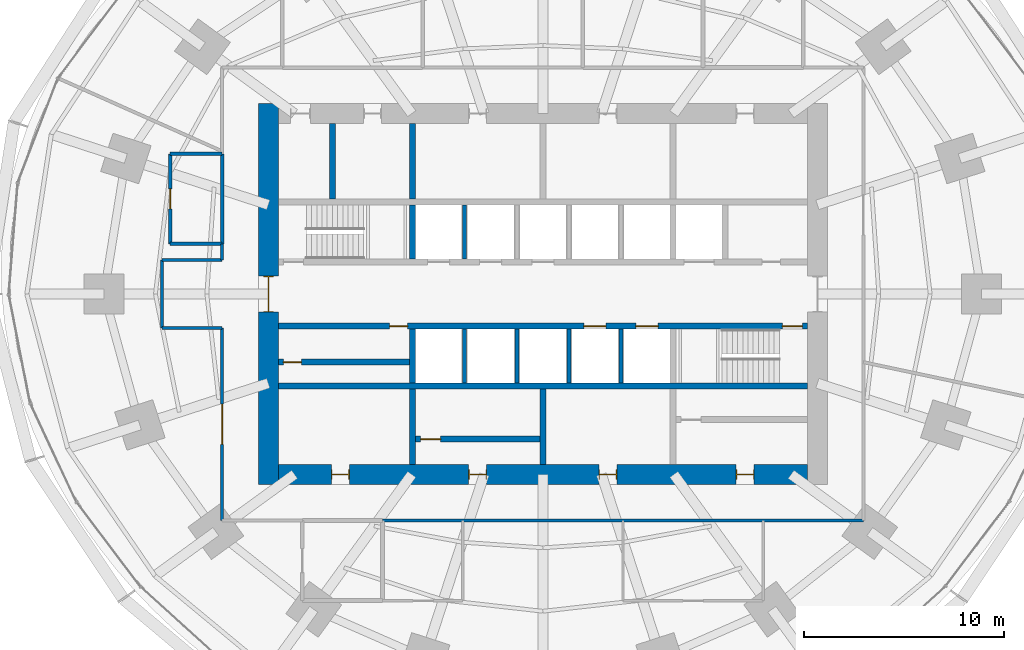
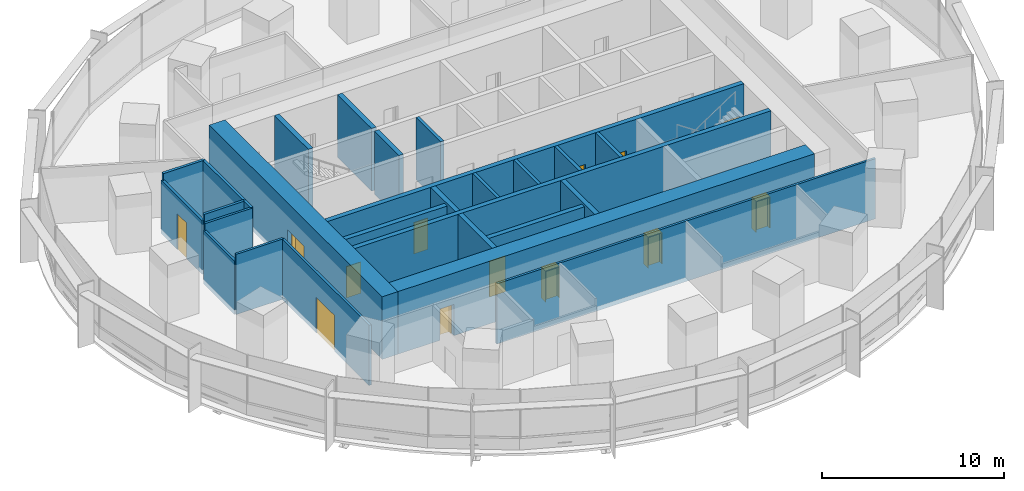
# One storey, part 11 of 15: 27 walls, 13 doors, 13 openings.
"""IFC4 building model written with IfcOpenShell, lengths in metres."""

from ifc_helpers import new_model, si_unit, direction, frame, frame_2d, origin, place, context, subcontext, project, spatial, rectangle, extrude, material, layer, layer_set, type_object, element, fill, save


model = new_model("IFC4")

# Units and contexts
model_context = context("Model", 3, precision=1e-05, world=origin(), true_north=direction((0.0, 1.0)))
body_context = subcontext(model_context, "Body", "Model", "MODEL_VIEW")
ifc_project = project(units=[si_unit("LENGTHUNIT", "METRE"), si_unit("AREAUNIT", "SQUARE_METRE"), si_unit("VOLUMEUNIT", "CUBIC_METRE"), si_unit("PLANEANGLEUNIT", "RADIAN"), si_unit("MASSUNIT", "GRAM", prefix="KILO")], contexts=[model_context])

# Site, building, storey
site_placement = place(None, origin())
site = spatial("IfcSite", under=ifc_project, at=site_placement, CompositionType="ELEMENT")
building_placement = place(site_placement, origin())
building = spatial("IfcBuilding", under=site, at=building_placement, Name="Marramba Exchange Tower", CompositionType="ELEMENT")
storey_placement = place(building_placement, frame((0.0, 0.0, 40.60009765625)))
storey = spatial("IfcBuildingStorey", under=building, at=storey_placement, Name="L09", CompositionType="ELEMENT", Elevation=40.60009765625)

# Walls
ifc_material_1 = material(Name="Plasterboard on staggered double steel studs, acoustic insulation", Category="steel")
ifc_layer_1 = layer(ifc_material_1, 0.169921875)
ifc_layer_set_1 = layer_set([ifc_layer_1], Name="Acoustic partition 170")
wall_type_1 = type_object("IfcWallType", Name="Acoustic partition 170", PredefinedType="PARTITIONING", material=ifc_layer_set_1)
wall_1_placement = place(storey_placement, frame((-16.0, 7.0, 0.0), z_axis=(0.0, 0.0, 1.0), x_axis=(-1.0, 0.0, 0.0)))
element("IfcWall", 1, at=wall_1_placement, inside=storey, type_object=wall_type_1, Name="Acoustic partition L09 32", PredefinedType="PARTITIONING", context=body_context, shape_type="SweptSolid", body=[
    extrude(rectangle(XDim=2.60009765625, YDim=0.169921875, at=frame_2d((1.300048828125, 0.0))), origin(), (0.0, 0.0, 1.0), 4.039794921875),
])
wall_2_placement = place(storey_placement, frame((-16.0, 2.5, 0.0), z_axis=(0.0, 0.0, 1.0), x_axis=(0.0, 1.0, 0.0)))
element("IfcWall", 2, at=wall_2_placement, inside=storey, type_object=wall_type_1, Name="Acoustic partition L09 33", PredefinedType="PARTITIONING", context=body_context, shape_type="SweptSolid", body=[
    extrude(rectangle(XDim=4.5, YDim=0.169921875, at=frame_2d((2.25, 0.0))), origin(), (0.0, 0.0, 1.0), 4.039794921875),
])

# Wall, opening, door
wall_3_placement = place(storey_placement, frame((-18.60009765625, 7.0, 0.0), z_axis=(0.0, 0.0, 1.0), x_axis=(0.0, -1.0, 0.0)))
wall_3 = element("IfcWall", 3, at=wall_3_placement, inside=storey, type_object=wall_type_1, Name="Acoustic partition L09 34", PredefinedType="PARTITIONING", context=body_context, shape_type="SweptSolid", body=[
    extrude(rectangle(XDim=4.5, YDim=0.169921875, at=frame_2d((2.25, 0.0))), origin(), (0.0, 0.0, 1.0), 3.5859375),
])
opening_1_placement = place(wall_3_placement, frame((1.75, 0.0, 0.0)))
opening_1 = element("IfcOpeningElement", 4, at=opening_1_placement, cuts=wall_3, Name="Opening D9", PredefinedType="OPENING", context=body_context, shape_type="SweptSolid", body=[
    extrude(rectangle(XDim=1.0, YDim=2.39990234375, at=frame_2d((0.5, 1.199951171875))), frame((0.0, 0.094970703125, 0.0), z_axis=(0.0, -1.0, 0.0), x_axis=(1.0, 0.0, 0.0)), (0.0, 0.0, 1.0), 0.18994140625),
])
ifc_material_2 = material(Name="Timber door", Category="wood")
door_type_1 = type_object("IfcDoorType", Name="Room door 1000x2400", OperationType="SINGLE_SWING_LEFT", PredefinedType="DOOR", material=ifc_material_2)
door_1_placement = place(opening_1_placement, origin())
door_1 = element("IfcDoor", 5, at=door_1_placement, inside=storey, type_object=door_type_1, Name="D9 Interview Room L09", OperationType="SINGLE_SWING_RIGHT", OverallHeight=2.39990234375, OverallWidth=1.0, PredefinedType="DOOR", context=body_context, shape_type="SweptSolid", body=[
    extrude(rectangle(XDim=1.0, YDim=2.39990234375, at=frame_2d((0.5, 1.199951171875))), frame((0.0, 0.02490234375, 0.0), z_axis=(0.0, -1.0, 0.0), x_axis=(1.0, 0.0, 0.0)), (0.0, 0.0, 1.0), 0.050048828125),
])
fill(opening_1, door_1)

# Walls
wall_4_placement = place(storey_placement, frame((-18.60009765625, 2.5, 0.0), z_axis=(0.0, 0.0, 1.0), x_axis=(1.0, 0.0, 0.0)))
element("IfcWall", 6, at=wall_4_placement, inside=storey, type_object=wall_type_1, Name="Acoustic partition L09 35", PredefinedType="PARTITIONING", context=body_context, shape_type="SweptSolid", body=[
    extrude(rectangle(XDim=2.60009765625, YDim=0.169921875, at=frame_2d((1.300048828125, 0.0))), origin(), (0.0, 0.0, 1.0), 4.039794921875),
])
ifc_material_3 = material(Name="Concrete N50", Category="concrete")
ifc_layer_2 = layer(ifc_material_3, 0.199951171875)
ifc_layer_set_2 = layer_set([ifc_layer_2], Name="Core shaft wall 200")
wall_type_2 = type_object("IfcWallType", Name="Core shaft wall 200", PredefinedType="SHEAR", material=ifc_layer_set_2)
for number, where, z_axis, x_axis, name in (
    (7, (-3.89990234375, 1.75, 0.0), (0.0, 0.0, 1.0), (0.0, 1.0, 0.0), "Core wall SHN1 L09"),
    (8, (-3.89990234375, -1.75, 0.0), (0.0, 0.0, 1.0), (0.0, -1.0, 0.0), "Core wall SHS1 L09"),
    (9, (-1.300048828125, -1.75, 0.0), (0.0, 0.0, 1.0), (0.0, -1.0, 0.0), "Core wall SHS2 L09"),
    (10, (1.300048828125, -1.75, 0.0), (0.0, 0.0, 1.0), (0.0, -1.0, 0.0), "Core wall SHS3 L09"),
    (11, (3.89990234375, -1.75, 0.0), (0.0, 0.0, 1.0), (0.0, -1.0, 0.0), "Core wall SHS4 L09"),
):
    element("IfcWall", number, at=place(storey_placement, frame(where, z_axis=z_axis, x_axis=x_axis)), inside=storey, type_object=wall_type_2, Name=name, PredefinedType="SHEAR", context=body_context, shape_type="SweptSolid", body=[
        extrude(rectangle(XDim=2.699951171875, YDim=0.199951171875, at=frame_2d((1.35009765625, 0.0))), origin(), (0.0, 0.0, 1.0), 4.199951171875),
    ])

# Wall, openings, doors
ifc_layer_3 = layer(ifc_material_3, 1.0)
ifc_layer_set_3 = layer_set([ifc_layer_3], Name="Core wall 1000")
wall_type_3 = type_object("IfcWallType", Name="Core wall 1000", PredefinedType="SHEAR", material=ifc_layer_set_3)
wall_5_placement = place(storey_placement, frame((-13.199951171875, -9.0, 0.0), z_axis=(0.0, 0.0, 1.0), x_axis=(1.0, 0.0, 0.0)))
wall_5 = element("IfcWall", 12, at=wall_5_placement, inside=storey, type_object=wall_type_3, Name="Core wall S L09", PredefinedType="SHEAR", context=body_context, shape_type="SweptSolid", body=[
    extrude(rectangle(XDim=26.39990234375, YDim=1.0, at=frame_2d((13.199951171875, 0.0))), origin(), (0.0, 0.0, 1.0), 4.199951171875),
])
opening_2_placement = place(wall_5_placement, frame((2.64990234375, 0.0, 0.0)))
opening_2 = element("IfcOpeningElement", 13, at=opening_2_placement, cuts=wall_5, Name="Opening D5", PredefinedType="OPENING", context=body_context, shape_type="SweptSolid", body=[
    extrude(rectangle(XDim=0.89990234375, YDim=2.10009765625, at=frame_2d((0.449951171875, 1.050048828125))), frame((0.0, 0.510009765625, 0.0), z_axis=(0.0, -1.0, 0.0), x_axis=(1.0, 0.0, 0.0)), (0.0, 0.0, 1.0), 1.02001953125),
])
opening_3_placement = place(wall_5_placement, frame((9.5, 0.0, 0.0)))
opening_3 = element("IfcOpeningElement", 14, at=opening_3_placement, cuts=wall_5, Name="Opening D5", PredefinedType="OPENING", context=body_context, shape_type="SweptSolid", body=[
    extrude(rectangle(XDim=0.89990234375, YDim=2.10009765625, at=frame_2d((0.449951171875, 1.050048828125))), frame((0.0, 0.510009765625, 0.0), z_axis=(0.0, -1.0, 0.0), x_axis=(1.0, 0.0, 0.0)), (0.0, 0.0, 1.0), 1.02001953125),
])
opening_4_placement = place(wall_5_placement, frame((16.0, 0.0, 0.0)))
opening_4 = element("IfcOpeningElement", 15, at=opening_4_placement, cuts=wall_5, Name="Opening D5", PredefinedType="OPENING", context=body_context, shape_type="SweptSolid", body=[
    extrude(rectangle(XDim=0.89990234375, YDim=2.10009765625, at=frame_2d((0.449951171875, 1.050048828125))), frame((0.0, 0.510009765625, 0.0), z_axis=(0.0, -1.0, 0.0), x_axis=(1.0, 0.0, 0.0)), (0.0, 0.0, 1.0), 1.02001953125),
])
opening_5_placement = place(wall_5_placement, frame((22.85009765625, 0.0, 0.0)))
opening_5 = element("IfcOpeningElement", 16, at=opening_5_placement, cuts=wall_5, Name="Opening D5", PredefinedType="OPENING", context=body_context, shape_type="SweptSolid", body=[
    extrude(rectangle(XDim=0.89990234375, YDim=2.10009765625, at=frame_2d((0.449951171875, 1.050048828125))), frame((0.0, 0.510009765625, 0.0), z_axis=(0.0, -1.0, 0.0), x_axis=(1.0, 0.0, 0.0)), (0.0, 0.0, 1.0), 1.02001953125),
])
ifc_material_4 = material(Name="Steel-framed door", Category="steel")
door_type_2 = type_object("IfcDoorType", Name="Service door 900x2100", OperationType="SINGLE_SWING_LEFT", PredefinedType="DOOR", material=ifc_material_4)
door_2_placement = place(opening_2_placement, origin())
door_2 = element("IfcDoor", 17, at=door_2_placement, inside=storey, type_object=door_type_2, Name="D5 ahu L09", OperationType="SINGLE_SWING_LEFT", OverallHeight=2.10009765625, OverallWidth=0.89990234375, PredefinedType="DOOR", context=body_context, shape_type="SweptSolid", body=[
    extrude(rectangle(XDim=0.81982421875, YDim=2.06005859375, at=frame_2d((0.449951171875, 1.030029296875))), frame((0.0, 0.02490234375, 0.0), z_axis=(0.0, -1.0, 0.0), x_axis=(1.0, 0.0, 0.0)), (0.0, 0.0, 1.0), 0.050048828125),
    extrude(rectangle(XDim=0.04, YDim=2.10009765625, at=frame_2d((0.02001953125, 1.050048828125))), frame((0.0, 0.25, 0.0), z_axis=(0.0, -1.0, 0.0), x_axis=(1.0, 0.0, 0.0)), (0.0, 0.0, 1.0), 0.5),
    extrude(rectangle(XDim=0.04, YDim=2.10009765625, at=frame_2d((0.8798828125, 1.050048828125))), frame((0.0, 0.25, 0.0), z_axis=(0.0, -1.0, 0.0), x_axis=(1.0, 0.0, 0.0)), (0.0, 0.0, 1.0), 0.5),
    extrude(rectangle(XDim=0.81982421875, YDim=0.04, at=frame_2d((0.449951171875, 2.080078125))), frame((0.0, 0.25, 0.0), z_axis=(0.0, -1.0, 0.0), x_axis=(1.0, 0.0, 0.0)), (0.0, 0.0, 1.0), 0.5),
])
fill(opening_2, door_2)
door_3_placement = place(opening_3_placement, origin())
door_3 = element("IfcDoor", 18, at=door_3_placement, inside=storey, type_object=door_type_2, Name="D5 store L09", OperationType="SINGLE_SWING_RIGHT", OverallHeight=2.10009765625, OverallWidth=0.89990234375, PredefinedType="DOOR", context=body_context, shape_type="SweptSolid", body=[
    extrude(rectangle(XDim=0.81982421875, YDim=2.06005859375, at=frame_2d((0.449951171875, 1.030029296875))), frame((0.0, 0.02490234375, 0.0), z_axis=(0.0, -1.0, 0.0), x_axis=(1.0, 0.0, 0.0)), (0.0, 0.0, 1.0), 0.050048828125),
    extrude(rectangle(XDim=0.04, YDim=2.10009765625, at=frame_2d((0.02001953125, 1.050048828125))), frame((0.0, 0.25, 0.0), z_axis=(0.0, -1.0, 0.0), x_axis=(1.0, 0.0, 0.0)), (0.0, 0.0, 1.0), 0.5),
    extrude(rectangle(XDim=0.04, YDim=2.10009765625, at=frame_2d((0.8798828125, 1.050048828125))), frame((0.0, 0.25, 0.0), z_axis=(0.0, -1.0, 0.0), x_axis=(1.0, 0.0, 0.0)), (0.0, 0.0, 1.0), 0.5),
    extrude(rectangle(XDim=0.81982421875, YDim=0.04, at=frame_2d((0.449951171875, 2.080078125))), frame((0.0, 0.25, 0.0), z_axis=(0.0, -1.0, 0.0), x_axis=(1.0, 0.0, 0.0)), (0.0, 0.0, 1.0), 0.5),
])
fill(opening_3, door_3)
door_4_placement = place(opening_4_placement, origin())
door_4 = element("IfcDoor", 19, at=door_4_placement, inside=storey, type_object=door_type_2, Name="D5 switch L09", OperationType="SINGLE_SWING_RIGHT", OverallHeight=2.10009765625, OverallWidth=0.89990234375, PredefinedType="DOOR", context=body_context, shape_type="SweptSolid", body=[
    extrude(rectangle(XDim=0.81982421875, YDim=2.06005859375, at=frame_2d((0.449951171875, 1.030029296875))), frame((0.0, 0.02490234375, 0.0), z_axis=(0.0, -1.0, 0.0), x_axis=(1.0, 0.0, 0.0)), (0.0, 0.0, 1.0), 0.050048828125),
    extrude(rectangle(XDim=0.04, YDim=2.10009765625, at=frame_2d((0.02001953125, 1.050048828125))), frame((0.0, 0.25, 0.0), z_axis=(0.0, -1.0, 0.0), x_axis=(1.0, 0.0, 0.0)), (0.0, 0.0, 1.0), 0.5),
    extrude(rectangle(XDim=0.04, YDim=2.10009765625, at=frame_2d((0.8798828125, 1.050048828125))), frame((0.0, 0.25, 0.0), z_axis=(0.0, -1.0, 0.0), x_axis=(1.0, 0.0, 0.0)), (0.0, 0.0, 1.0), 0.5),
    extrude(rectangle(XDim=0.81982421875, YDim=0.04, at=frame_2d((0.449951171875, 2.080078125))), frame((0.0, 0.25, 0.0), z_axis=(0.0, -1.0, 0.0), x_axis=(1.0, 0.0, 0.0)), (0.0, 0.0, 1.0), 0.5),
])
fill(opening_4, door_4)
door_5_placement = place(opening_5_placement, origin())
door_5 = element("IfcDoor", 20, at=door_5_placement, inside=storey, type_object=door_type_2, Name="D5 cstore L09", OperationType="SINGLE_SWING_RIGHT", OverallHeight=2.10009765625, OverallWidth=0.89990234375, PredefinedType="DOOR", context=body_context, shape_type="SweptSolid", body=[
    extrude(rectangle(XDim=0.81982421875, YDim=2.06005859375, at=frame_2d((0.449951171875, 1.030029296875))), frame((0.0, 0.02490234375, 0.0), z_axis=(0.0, -1.0, 0.0), x_axis=(1.0, 0.0, 0.0)), (0.0, 0.0, 1.0), 0.050048828125),
    extrude(rectangle(XDim=0.04, YDim=2.10009765625, at=frame_2d((0.02001953125, 1.050048828125))), frame((0.0, 0.25, 0.0), z_axis=(0.0, -1.0, 0.0), x_axis=(1.0, 0.0, 0.0)), (0.0, 0.0, 1.0), 0.5),
    extrude(rectangle(XDim=0.04, YDim=2.10009765625, at=frame_2d((0.8798828125, 1.050048828125))), frame((0.0, 0.25, 0.0), z_axis=(0.0, -1.0, 0.0), x_axis=(1.0, 0.0, 0.0)), (0.0, 0.0, 1.0), 0.5),
    extrude(rectangle(XDim=0.81982421875, YDim=0.04, at=frame_2d((0.449951171875, 2.080078125))), frame((0.0, 0.25, 0.0), z_axis=(0.0, -1.0, 0.0), x_axis=(1.0, 0.0, 0.0)), (0.0, 0.0, 1.0), 0.5),
])
fill(opening_5, door_5)

# Wall, opening, door
wall_6_placement = place(storey_placement, frame((-13.699951171875, 9.5, 0.0), z_axis=(0.0, 0.0, 1.0), x_axis=(0.0, -1.0, 0.0)))
wall_6 = element("IfcWall", 21, at=wall_6_placement, inside=storey, type_object=wall_type_3, Name="Core wall W L09", PredefinedType="SHEAR", context=body_context, shape_type="SweptSolid", body=[
    extrude(rectangle(XDim=19.0, YDim=1.0, at=frame_2d((9.5, 0.0))), origin(), (0.0, 0.0, 1.0), 4.199951171875),
])
opening_6_placement = place(wall_6_placement, frame((8.60009765625, 0.0, 0.0)))
opening_6 = element("IfcOpeningElement", 22, at=opening_6_placement, cuts=wall_6, Name="Opening D1", PredefinedType="OPENING", context=body_context, shape_type="SweptSolid", body=[
    extrude(rectangle(XDim=1.800048828125, YDim=2.39990234375, at=frame_2d((0.89990234375, 1.199951171875))), frame((0.0, 0.510009765625, 0.0), z_axis=(0.0, -1.0, 0.0), x_axis=(1.0, 0.0, 0.0)), (0.0, 0.0, 1.0), 1.02001953125),
])
door_type_3 = type_object("IfcDoorType", Name="Lobby exit door 1800x2400", OperationType="DOUBLE_DOOR_SINGLE_SWING", PredefinedType="DOOR", material=ifc_material_4)
door_6_placement = place(opening_6_placement, origin())
door_6 = element("IfcDoor", 23, at=door_6_placement, inside=storey, type_object=door_type_3, Name="D1 lobby exit west L09", OperationType="DOUBLE_DOOR_SINGLE_SWING", OverallHeight=2.39990234375, OverallWidth=1.800048828125, PredefinedType="DOOR", context=body_context, shape_type="SweptSolid", body=[
    extrude(rectangle(XDim=1.719970703125, YDim=2.35986328125, at=frame_2d((0.89990234375, 1.179931640625))), frame((0.0, 0.02490234375, 0.0), z_axis=(0.0, -1.0, 0.0), x_axis=(1.0, 0.0, 0.0)), (0.0, 0.0, 1.0), 0.050048828125),
    extrude(rectangle(XDim=0.04, YDim=2.39990234375, at=frame_2d((0.02001953125, 1.199951171875))), frame((0.0, 0.25, 0.0), z_axis=(0.0, -1.0, 0.0), x_axis=(1.0, 0.0, 0.0)), (0.0, 0.0, 1.0), 0.5),
    extrude(rectangle(XDim=0.04, YDim=2.39990234375, at=frame_2d((1.780029296875, 1.199951171875))), frame((0.0, 0.25, 0.0), z_axis=(0.0, -1.0, 0.0), x_axis=(1.0, 0.0, 0.0)), (0.0, 0.0, 1.0), 0.5),
    extrude(rectangle(XDim=1.719970703125, YDim=0.04, at=frame_2d((0.89990234375, 2.3798828125))), frame((0.0, 0.25, 0.0), z_axis=(0.0, -1.0, 0.0), x_axis=(1.0, 0.0, 0.0)), (0.0, 0.0, 1.0), 0.5),
])
fill(opening_6, door_6)

# Wall, openings, doors
ifc_layer_4 = layer(ifc_material_3, 0.300048828125)
ifc_layer_set_4 = layer_set([ifc_layer_4], Name="Core wall 300")
wall_type_4 = type_object("IfcWallType", Name="Core wall 300", PredefinedType="SHEAR", material=ifc_layer_set_4)
wall_7_placement = place(storey_placement, frame((-13.199951171875, -1.60009765625, 0.0), z_axis=(0.0, 0.0, 1.0), x_axis=(1.0, 0.0, 0.0)))
wall_7 = element("IfcWall", 24, at=wall_7_placement, inside=storey, type_object=wall_type_4, Name="Core wall LS L09", PredefinedType="SHEAR", context=body_context, shape_type="SweptSolid", body=[
    extrude(rectangle(XDim=26.39990234375, YDim=0.300048828125, at=frame_2d((13.199951171875, 0.0))), origin(), (0.0, 0.0, 1.0), 4.199951171875),
])
opening_7_placement = place(wall_7_placement, frame((25.14990234375, 0.0, 0.0)))
opening_7 = element("IfcOpeningElement", 25, at=opening_7_placement, cuts=wall_7, Name="Opening D2", PredefinedType="OPENING", context=body_context, shape_type="SweptSolid", body=[
    extrude(rectangle(XDim=1.0, YDim=2.10009765625, at=frame_2d((0.5, 1.050048828125))), frame((0.0, 0.159912109375, 0.0), z_axis=(0.0, -1.0, 0.0), x_axis=(1.0, 0.0, 0.0)), (0.0, 0.0, 1.0), 0.320068359375),
])
opening_8_placement = place(wall_7_placement, frame((15.25, 0.0, 0.0)))
opening_8 = element("IfcOpeningElement", 26, at=opening_8_placement, cuts=wall_7, Name="Opening LD2", PredefinedType="OPENING", context=body_context, shape_type="SweptSolid", body=[
    extrude(rectangle(XDim=1.10009765625, YDim=2.300048828125, at=frame_2d((0.550048828125, 1.14990234375))), frame((0.0, 0.159912109375, 0.0), z_axis=(0.0, -1.0, 0.0), x_axis=(1.0, 0.0, 0.0)), (0.0, 0.0, 1.0), 0.320068359375),
])
opening_9_placement = place(wall_7_placement, frame((17.85009765625, 0.0, 0.0)))
opening_9 = element("IfcOpeningElement", 27, at=opening_9_placement, cuts=wall_7, Name="Opening LD2", PredefinedType="OPENING", context=body_context, shape_type="SweptSolid", body=[
    extrude(rectangle(XDim=1.10009765625, YDim=2.300048828125, at=frame_2d((0.550048828125, 1.14990234375))), frame((0.0, 0.159912109375, 0.0), z_axis=(0.0, -1.0, 0.0), x_axis=(1.0, 0.0, 0.0)), (0.0, 0.0, 1.0), 0.320068359375),
])
opening_10_placement = place(wall_7_placement, frame((5.550048828125, 0.0, 0.0)))
opening_10 = element("IfcOpeningElement", 28, at=opening_10_placement, cuts=wall_7, Name="Opening D5", PredefinedType="OPENING", context=body_context, shape_type="SweptSolid", body=[
    extrude(rectangle(XDim=0.89990234375, YDim=2.10009765625, at=frame_2d((0.449951171875, 1.050048828125))), frame((0.0, 0.159912109375, 0.0), z_axis=(0.0, -1.0, 0.0), x_axis=(1.0, 0.0, 0.0)), (0.0, 0.0, 1.0), 0.320068359375),
])
door_type_4 = type_object("IfcDoorType", Name="Emergency lift landing door 1100x2300", OperationType="SLIDING_TO_LEFT", PredefinedType="DOOR", material=ifc_material_4)
door_7_placement = place(opening_8_placement, frame((1.10009765625, 0.0, 0.0), z_axis=(0.0, 0.0, 1.0), x_axis=(-1.0, 0.0, 0.0)))
door_7 = element("IfcDoor", 29, at=door_7_placement, inside=storey, type_object=door_type_4, Name="FL1 landing door L09", OperationType="SLIDING_TO_RIGHT", OverallHeight=2.300048828125, OverallWidth=1.10009765625, PredefinedType="DOOR", context=body_context, shape_type="SweptSolid", body=[
    extrude(rectangle(XDim=1.10009765625, YDim=2.300048828125, at=frame_2d((0.550048828125, 1.14990234375))), frame((0.0, 0.025146484375, 0.0), z_axis=(0.0, -1.0, 0.0), x_axis=(1.0, 0.0, 0.0)), (0.0, 0.0, 1.0), 0.050048828125),
])
fill(opening_8, door_7)
door_8_placement = place(opening_9_placement, frame((1.10009765625, 0.0, 0.0), z_axis=(0.0, 0.0, 1.0), x_axis=(-1.0, 0.0, 0.0)))
door_8 = element("IfcDoor", 30, at=door_8_placement, inside=storey, type_object=door_type_4, Name="FL2 landing door L09", OperationType="SLIDING_TO_LEFT", OverallHeight=2.300048828125, OverallWidth=1.10009765625, PredefinedType="DOOR", context=body_context, shape_type="SweptSolid", body=[
    extrude(rectangle(XDim=1.10009765625, YDim=2.300048828125, at=frame_2d((0.550048828125, 1.14990234375))), frame((0.0, 0.025146484375, 0.0), z_axis=(0.0, -1.0, 0.0), x_axis=(1.0, 0.0, 0.0)), (0.0, 0.0, 1.0), 0.050048828125),
])
fill(opening_9, door_8)
door_9_placement = place(opening_10_placement, frame((0.89990234375, 0.0, 0.0), z_axis=(0.0, 0.0, 1.0), x_axis=(-1.0, 0.0, 0.0)))
door_9 = element("IfcDoor", 31, at=door_9_placement, inside=storey, type_object=door_type_2, Name="D5 electrical riser L09", OperationType="SINGLE_SWING_LEFT", OverallHeight=2.10009765625, OverallWidth=0.89990234375, PredefinedType="DOOR", context=body_context, shape_type="SweptSolid", body=[
    extrude(rectangle(XDim=0.89990234375, YDim=2.10009765625, at=frame_2d((0.449951171875, 1.050048828125))), frame((0.0, 0.025146484375, 0.0), z_axis=(0.0, -1.0, 0.0), x_axis=(1.0, 0.0, 0.0)), (0.0, 0.0, 1.0), 0.050048828125),
])
fill(opening_10, door_9)
door_type_5 = type_object("IfcDoorType", Name="Stair door 1000x2100", OperationType="SINGLE_SWING_LEFT", PredefinedType="DOOR", material=ifc_material_4)
door_10_placement = place(opening_7_placement, frame((1.0, 0.0, 0.0), z_axis=(0.0, 0.0, 1.0), x_axis=(-1.0, 0.0, 0.0)))
door_10 = element("IfcDoor", 32, at=door_10_placement, inside=storey, type_object=door_type_5, Name="D2 stair ST2 L09", OperationType="SINGLE_SWING_LEFT", OverallHeight=2.10009765625, OverallWidth=1.0, PredefinedType="DOOR", context=body_context, shape_type="SweptSolid", body=[
    extrude(rectangle(XDim=1.0, YDim=2.10009765625, at=frame_2d((0.5, 1.050048828125))), frame((0.0, 0.025146484375, 0.0), z_axis=(0.0, -1.0, 0.0), x_axis=(1.0, 0.0, 0.0)), (0.0, 0.0, 1.0), 0.050048828125),
])
fill(opening_7, door_10)

# Walls
wall_8_placement = place(storey_placement, frame((-13.199951171875, -4.60009765625, 0.0), z_axis=(0.0, 0.0, 1.0), x_axis=(1.0, 0.0, 0.0)))
element("IfcWall", 33, at=wall_8_placement, inside=storey, type_object=wall_type_4, Name="Core wall BS L09", PredefinedType="SHEAR", context=body_context, shape_type="SweptSolid", body=[
    extrude(rectangle(XDim=26.39990234375, YDim=0.300048828125, at=frame_2d((13.199951171875, 0.0))), origin(), (0.0, 0.0, 1.0), 4.199951171875),
])
wall_9_placement = place(storey_placement, frame((-6.5, 1.75, 0.0), z_axis=(0.0, 0.0, 1.0), x_axis=(0.0, 1.0, 0.0)))
element("IfcWall", 34, at=wall_9_placement, inside=storey, type_object=wall_type_4, Name="Core wall X0Na L09", PredefinedType="SHEAR", context=body_context, shape_type="SweptSolid", body=[
    extrude(rectangle(XDim=2.699951171875, YDim=0.300048828125, at=frame_2d((1.35009765625, 0.0))), origin(), (0.0, 0.0, 1.0), 4.199951171875),
])
wall_10_placement = place(storey_placement, frame((-6.5, 4.75, 0.0), z_axis=(0.0, 0.0, 1.0), x_axis=(0.0, 1.0, 0.0)))
element("IfcWall", 35, at=wall_10_placement, inside=storey, type_object=wall_type_4, Name="Core wall X0Nb L09", PredefinedType="SHEAR", context=body_context, shape_type="SweptSolid", body=[
    extrude(rectangle(XDim=3.75, YDim=0.300048828125, at=frame_2d((1.875, 0.0))), origin(), (0.0, 0.0, 1.0), 4.199951171875),
])
wall_11_placement = place(storey_placement, frame((-6.5, -1.75, 0.0), z_axis=(0.0, 0.0, 1.0), x_axis=(0.0, -1.0, 0.0)))
element("IfcWall", 36, at=wall_11_placement, inside=storey, type_object=wall_type_4, Name="Core wall X0Sa L09", PredefinedType="SHEAR", context=body_context, shape_type="SweptSolid", body=[
    extrude(rectangle(XDim=2.699951171875, YDim=0.300048828125, at=frame_2d((1.35009765625, 0.0))), origin(), (0.0, 0.0, 1.0), 4.199951171875),
])
for number, where, z_axis, x_axis, name in (
    (37, (-6.5, -4.75, 0.0), (0.0, 0.0, 1.0), (0.0, -1.0, 0.0), "Core wall X0Sb L09"),
    (38, (0.0, -4.75, 0.0), (0.0, 0.0, 1.0), (0.0, -1.0, 0.0), "Core wall MS L09"),
    (39, (-10.5, 4.75, 0.0), (0.0, 0.0, 1.0), (0.0, 1.0, 0.0), "Core wall WD L09"),
):
    element("IfcWall", number, at=place(storey_placement, frame(where, z_axis=z_axis, x_axis=x_axis)), inside=storey, type_object=wall_type_4, Name=name, PredefinedType="SHEAR", context=body_context, shape_type="SweptSolid", body=[
        extrude(rectangle(XDim=3.75, YDim=0.300048828125, at=frame_2d((1.875, 0.0))), origin(), (0.0, 0.0, 1.0), 4.199951171875),
    ])

# Wall, opening, door
ifc_material_5 = material(Name="Core-filled concrete blockwork", Category="masonry")
ifc_layer_5 = layer(ifc_material_5, 0.300048828125)
ifc_layer_set_5 = layer_set([ifc_layer_5], Name="Riser enclosure wall 300")
wall_type_5 = type_object("IfcWallType", Name="Riser enclosure wall 300", PredefinedType="SOLIDWALL", material=ifc_layer_set_5)
wall_12_placement = place(storey_placement, frame((-13.199951171875, -3.39990234375, 0.0), z_axis=(0.0, 0.0, 1.0), x_axis=(1.0, 0.0, 0.0)))
wall_12 = element("IfcWall", 40, at=wall_12_placement, inside=storey, type_object=wall_type_5, Name="Riser enclosure wall L09", PredefinedType="SOLIDWALL", context=body_context, shape_type="SweptSolid", body=[
    extrude(rectangle(XDim=6.550048828125, YDim=0.300048828125, at=frame_2d((3.27490234375, 0.0))), origin(), (0.0, 0.0, 1.0), 4.039794921875),
])
opening_11_placement = place(wall_12_placement, frame((0.25, 0.0, 0.0)))
opening_11 = element("IfcOpeningElement", 41, at=opening_11_placement, cuts=wall_12, Name="Opening D5", PredefinedType="OPENING", context=body_context, shape_type="SweptSolid", body=[
    extrude(rectangle(XDim=0.89990234375, YDim=2.10009765625, at=frame_2d((0.449951171875, 1.050048828125))), frame((0.0, 0.159912109375, 0.0), z_axis=(0.0, -1.0, 0.0), x_axis=(1.0, 0.0, 0.0)), (0.0, 0.0, 1.0), 0.320068359375),
])
door_11_placement = place(opening_11_placement, frame((0.89990234375, 0.0, 0.0), z_axis=(0.0, 0.0, 1.0), x_axis=(-1.0, 0.0, 0.0)))
door_11 = element("IfcDoor", 42, at=door_11_placement, inside=storey, type_object=door_type_2, Name="D5 electrical riser back L09", OperationType="SINGLE_SWING_RIGHT", OverallHeight=2.10009765625, OverallWidth=0.89990234375, PredefinedType="DOOR", context=body_context, shape_type="SweptSolid", body=[
    extrude(rectangle(XDim=0.89990234375, YDim=2.10009765625, at=frame_2d((0.449951171875, 1.050048828125))), frame((0.0, 0.025146484375, 0.0), z_axis=(0.0, -1.0, 0.0), x_axis=(1.0, 0.0, 0.0)), (0.0, 0.0, 1.0), 0.050048828125),
])
fill(opening_11, door_11)

ifc_material_6 = material(Name="Plasterboard on steel studs, insulated, unrated", Category="steel")
ifc_layer_6 = layer(ifc_material_6, 0.300048828125)
ifc_layer_set_6 = layer_set([ifc_layer_6], Name="Store partition 300")
wall_type_6 = type_object("IfcWallType", Name="Store partition 300", PredefinedType="PARTITIONING", material=ifc_layer_set_6)
wall_13_placement = place(storey_placement, frame((-6.35009765625, -7.239990234375, 0.0), z_axis=(0.0, 0.0, 1.0), x_axis=(1.0, 0.0, 0.0)))
wall_13 = element("IfcWall", 43, at=wall_13_placement, inside=storey, type_object=wall_type_6, Name="Store partition L09 store", PredefinedType="PARTITIONING", context=body_context, shape_type="SweptSolid", body=[
    extrude(rectangle(XDim=6.2001953125, YDim=0.300048828125, at=frame_2d((3.10009765625, 0.0))), origin(), (0.0, 0.0, 1.0), 4.039794921875),
])
opening_12_placement = place(wall_13_placement, frame((0.25, 0.0, 0.0)))
opening_12 = element("IfcOpeningElement", 44, at=opening_12_placement, cuts=wall_13, Name="Opening D9", PredefinedType="OPENING", context=body_context, shape_type="SweptSolid", body=[
    extrude(rectangle(XDim=1.0, YDim=2.39990234375, at=frame_2d((0.5, 1.199951171875))), frame((0.0, 0.159912109375, 0.0), z_axis=(0.0, -1.0, 0.0), x_axis=(1.0, 0.0, 0.0)), (0.0, 0.0, 1.0), 0.320068359375),
])
door_12_placement = place(opening_12_placement, frame((1.0, 0.0, 0.0), z_axis=(0.0, 0.0, 1.0), x_axis=(-1.0, 0.0, 0.0)))
door_12 = element("IfcDoor", 45, at=door_12_placement, inside=storey, type_object=door_type_1, Name="D9 stationery store L09", OperationType="SINGLE_SWING_RIGHT", OverallHeight=2.39990234375, OverallWidth=1.0, PredefinedType="DOOR", context=body_context, shape_type="SweptSolid", body=[
    extrude(rectangle(XDim=1.0, YDim=2.39990234375, at=frame_2d((0.5, 1.199951171875))), frame((0.0, 0.025146484375, 0.0), z_axis=(0.0, -1.0, 0.0), x_axis=(1.0, 0.0, 0.0)), (0.0, 0.0, 1.0), 0.050048828125),
])
fill(opening_12, door_12)

# Wall
ifc_material_7 = material(Name="Fire-rated plasterboard on steel studs, acoustic insulation", Category="steel")
ifc_layer_7 = layer(ifc_material_7, 0.14990234375)
ifc_layer_set_7 = layer_set([ifc_layer_7], Name="Tenancy wall 150")
wall_type_7 = type_object("IfcWallType", Name="Tenancy wall 150", PredefinedType="PARTITIONING", material=ifc_layer_set_7)
wall_14_placement = place(storey_placement, frame((-19.0, -1.699951171875, 0.0), z_axis=(0.0, 0.0, 1.0), x_axis=(1.0, 0.0, 0.0)))
element("IfcWall", 46, at=wall_14_placement, inside=storey, type_object=wall_type_7, Name="Tenancy wall L09 01", PredefinedType="PARTITIONING", context=body_context, shape_type="SweptSolid", body=[
    extrude(rectangle(XDim=3.0, YDim=0.14990234375, at=frame_2d((1.5, 0.0))), origin(), (0.0, 0.0, 1.0), 4.039794921875),
])

# Wall, opening, door
wall_15_placement = place(storey_placement, frame((-16.0, -1.699951171875, 0.0), z_axis=(0.0, 0.0, 1.0), x_axis=(0.0, -1.0, 0.0)))
wall_15 = element("IfcWall", 47, at=wall_15_placement, inside=storey, type_object=wall_type_7, Name="Tenancy wall L09 02", PredefinedType="PARTITIONING", context=body_context, shape_type="SweptSolid", body=[
    extrude(rectangle(XDim=9.60009765625, YDim=0.14990234375, at=frame_2d((4.800048828125, 0.0))), origin(), (0.0, 0.0, 1.0), 4.039794921875),
])
opening_13_placement = place(wall_15_placement, frame((3.800048828125, 0.0, 0.0)))
opening_13 = element("IfcOpeningElement", 48, at=opening_13_placement, cuts=wall_15, Name="Opening D17", PredefinedType="OPENING", context=body_context, shape_type="SweptSolid", body=[
    extrude(rectangle(XDim=2.0, YDim=2.39990234375, at=frame_2d((1.0, 1.199951171875))), frame((0.0, 0.0849609375, 0.0), z_axis=(0.0, -1.0, 0.0), x_axis=(1.0, 0.0, 0.0)), (0.0, 0.0, 1.0), 0.169921875),
])
door_type_6 = type_object("IfcDoorType", Name="Trading floor entry door pair 2000x2400", OperationType="DOUBLE_DOOR_SINGLE_SWING", PredefinedType="DOOR", material=ifc_material_4)
door_13_placement = place(opening_13_placement, origin())
door_13 = element("IfcDoor", 49, at=door_13_placement, inside=storey, type_object=door_type_6, Name="D17 Trading Floor 2 L09", OperationType="DOUBLE_DOOR_SINGLE_SWING", OverallHeight=2.39990234375, OverallWidth=2.0, PredefinedType="DOOR", context=body_context, shape_type="SweptSolid", body=[
    extrude(rectangle(XDim=2.0, YDim=2.39990234375, at=frame_2d((1.0, 1.199951171875))), frame((0.0, 0.02490234375, 0.0), z_axis=(0.0, -1.0, 0.0), x_axis=(1.0, 0.0, 0.0)), (0.0, 0.0, 1.0), 0.050048828125),
])
fill(opening_13, door_13)

# Walls
wall_16_placement = place(storey_placement, frame((-8.0, -11.300048828125, 0.0), z_axis=(0.0, 0.0, 1.0), x_axis=(1.0, 0.0, 0.0)))
element("IfcWall", 50, at=wall_16_placement, inside=storey, type_object=wall_type_7, Name="Tenancy wall L09 11", PredefinedType="PARTITIONING", context=body_context, shape_type="SweptSolid", body=[
    extrude(rectangle(XDim=24.0, YDim=0.14990234375, at=frame_2d((12.0, 0.0))), origin(), (0.0, 0.0, 1.0), 4.039794921875),
])
wall_17_placement = place(storey_placement, frame((-16.0, 2.5, 0.0), z_axis=(0.0, 0.0, 1.0), x_axis=(0.0, -1.0, 0.0)))
element("IfcWall", 51, at=wall_17_placement, inside=storey, type_object=wall_type_7, Name="Tenancy wall L09 36", PredefinedType="PARTITIONING", context=body_context, shape_type="SweptSolid", body=[
    extrude(rectangle(XDim=0.800048828125, YDim=0.14990234375, at=frame_2d((0.39990234375, 0.0))), origin(), (0.0, 0.0, 1.0), 4.039794921875),
])
wall_18_placement = place(storey_placement, frame((-16.0, 1.699951171875, 0.0), z_axis=(0.0, 0.0, 1.0), x_axis=(-1.0, 0.0, 0.0)))
element("IfcWall", 52, at=wall_18_placement, inside=storey, type_object=wall_type_7, Name="Tenancy wall L09 37", PredefinedType="PARTITIONING", context=body_context, shape_type="SweptSolid", body=[
    extrude(rectangle(XDim=3.0, YDim=0.14990234375, at=frame_2d((1.5, 0.0))), origin(), (0.0, 0.0, 1.0), 4.039794921875),
])
wall_19_placement = place(storey_placement, frame((-19.0, 1.699951171875, 0.0), z_axis=(0.0, 0.0, 1.0), x_axis=(0.0, -1.0, 0.0)))
element("IfcWall", 53, at=wall_19_placement, inside=storey, type_object=wall_type_7, Name="Tenancy wall L09 38", PredefinedType="PARTITIONING", context=body_context, shape_type="SweptSolid", body=[
    extrude(rectangle(XDim=3.39990234375, YDim=0.14990234375, at=frame_2d((1.699951171875, 0.0))), origin(), (0.0, 0.0, 1.0), 3.5859375),
])

save(model, "model.ifc")
